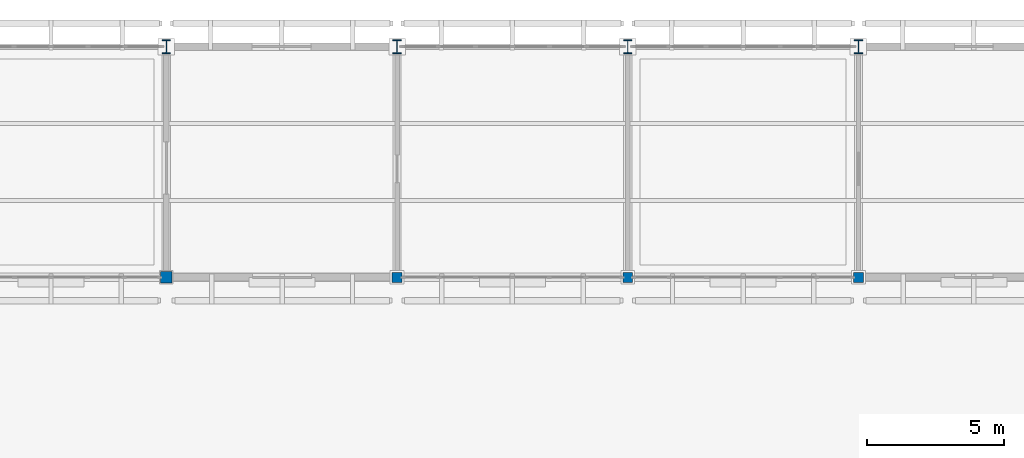
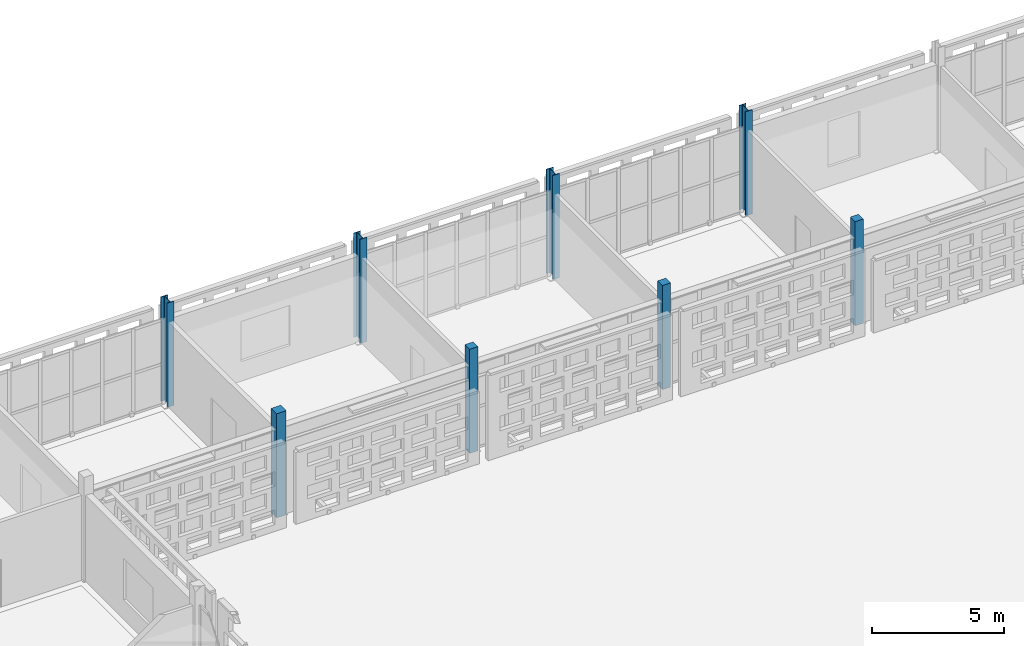
# One storey, part 9 of 203: 8 columns.
"""IFC4 building model written with IfcOpenShell, lengths in metres."""

from ifc_helpers import new_model, si_unit, direction, frame, origin, origin_2d, place, context, subcontext, project, spatial, rectangle, i_section, extrude, material, material_profile, profile_set, type_object, element, save


model = new_model("IFC4")

# Units and contexts
model_context = context("Model", 3, precision=1e-05, world=origin(), true_north=direction((0.0, 1.0)))
body_context = subcontext(model_context, "Body", "Model", "MODEL_VIEW")
ifc_project = project(units=[si_unit("LENGTHUNIT", "METRE"), si_unit("AREAUNIT", "SQUARE_METRE"), si_unit("VOLUMEUNIT", "CUBIC_METRE"), si_unit("PLANEANGLEUNIT", "RADIAN"), si_unit("MASSUNIT", "GRAM", prefix="KILO")], contexts=[model_context])

# Site, building, storey
site_placement = place(None, origin())
site = spatial("IfcSite", under=ifc_project, at=site_placement, CompositionType="ELEMENT")
building_placement = place(site_placement, origin())
building = spatial("IfcBuilding", under=site, at=building_placement, Name="Varnapada Polytechnic", CompositionType="ELEMENT")
storey_placement = place(building_placement, frame((0.0, 0.0, 4.800048828125)))
storey = spatial("IfcBuildingStorey", under=building, at=storey_placement, Name="L01", CompositionType="ELEMENT", Elevation=4.800048828125)

# Columns
ifc_material_1 = material(Name="Steel S355", Category="steel")
ifc_material_profile_1 = material_profile(ifc_material_1, i_section(OverallWidth=0.300048828125, OverallDepth=0.5, WebThickness=0.014404296875, FlangeThickness=0.028076171875, FilletRadius=0.027099609375, at=origin_2d()), Name="HEB 500")
ifc_profile_set_1 = profile_set([ifc_material_profile_1], Name="Steel S355")
column_type_1 = type_object("IfcColumnType", Name="Column C-06 (HEB 500)", PredefinedType="COLUMN", material=ifc_profile_set_1)
for number, where, z_axis, x_axis, name in (
    (1, (67.199951171875, 126.0, 0.0), (0.0, 0.0, 1.0), (1.0, 0.0, 0.0), "L01 column 9/16"),
    (2, (75.60009765625, 126.0, 0.0), (0.0, 0.0, 1.0), (1.0, 0.0, 0.0), "L01 column 10/16"),
    (3, (84.0, 126.0, 0.0), (0.0, 0.0, 1.0), (1.0, 0.0, 0.0), "L01 column 11/16"),
    (4, (92.39990234375, 126.0, 0.0), (0.0, 0.0, 1.0), (1.0, 0.0, 0.0), "L01 column 12/16"),
):
    element("IfcColumn", number, at=place(storey_placement, frame(where, z_axis=z_axis, x_axis=x_axis)), inside=storey, type_object=column_type_1, Name=name, PredefinedType="COLUMN", context=body_context, shape_type="SweptSolid", body=[
        extrude(i_section(OverallWidth=0.300048828125, OverallDepth=0.5, WebThickness=0.014404296875, FlangeThickness=0.028076171875, FilletRadius=0.027099609375, at=origin_2d()), origin(), (0.0, 0.0, 1.0), 4.800048828125),
    ])
ifc_material_2 = material(Name="Glulam GL32h", Category="wood")
ifc_material_profile_2 = material_profile(ifc_material_2, rectangle(XDim=0.360107421875, YDim=0.360107421875, at=origin_2d()), Name="GL 360x360")
ifc_profile_set_2 = profile_set([ifc_material_profile_2], Name="Glulam GL32h")
column_type_2 = type_object("IfcColumnType", Name="Column C-14 (GL 360x360)", PredefinedType="COLUMN", material=ifc_profile_set_2)
for number, where, z_axis, x_axis, name in (
    (5, (75.60009765625, 117.60009765625, 0.0), (0.0, 0.0, 1.0), (1.0, 0.0, 0.0), "L01 column 10/15"),
    (6, (84.0, 117.60009765625, 0.0), (0.0, 0.0, 1.0), (1.0, 0.0, 0.0), "L01 column 11/15"),
    (7, (92.39990234375, 117.60009765625, 0.0), (0.0, 0.0, 1.0), (1.0, 0.0, 0.0), "L01 column 12/15"),
):
    element("IfcColumn", number, at=place(storey_placement, frame(where, z_axis=z_axis, x_axis=x_axis)), inside=storey, type_object=column_type_2, Name=name, PredefinedType="COLUMN", context=body_context, shape_type="SweptSolid", body=[
        extrude(rectangle(XDim=0.360107421875, YDim=0.360107421875, at=origin_2d()), origin(), (0.0, 0.0, 1.0), 4.800048828125),
    ])
ifc_material_profile_3 = material_profile(ifc_material_2, rectangle(XDim=0.419921875, YDim=0.419921875, at=origin_2d()), Name="GL 420x420")
ifc_profile_set_3 = profile_set([ifc_material_profile_3], Name="Glulam GL32h")
column_type_3 = type_object("IfcColumnType", Name="Column C-23 (GL 420x420)", PredefinedType="COLUMN", material=ifc_profile_set_3)
column_placement = place(storey_placement, frame((67.199951171875, 117.60009765625, 0.0), z_axis=(0.0, 0.0, 1.0), x_axis=(1.0, 0.0, 0.0)))
element("IfcColumn", 8, at=column_placement, inside=storey, type_object=column_type_3, Name="L01 column 9/15", PredefinedType="COLUMN", context=body_context, shape_type="SweptSolid", body=[
    extrude(rectangle(XDim=0.419921875, YDim=0.419921875, at=origin_2d()), origin(), (0.0, 0.0, 1.0), 4.800048828125),
])

save(model, "model.ifc")
